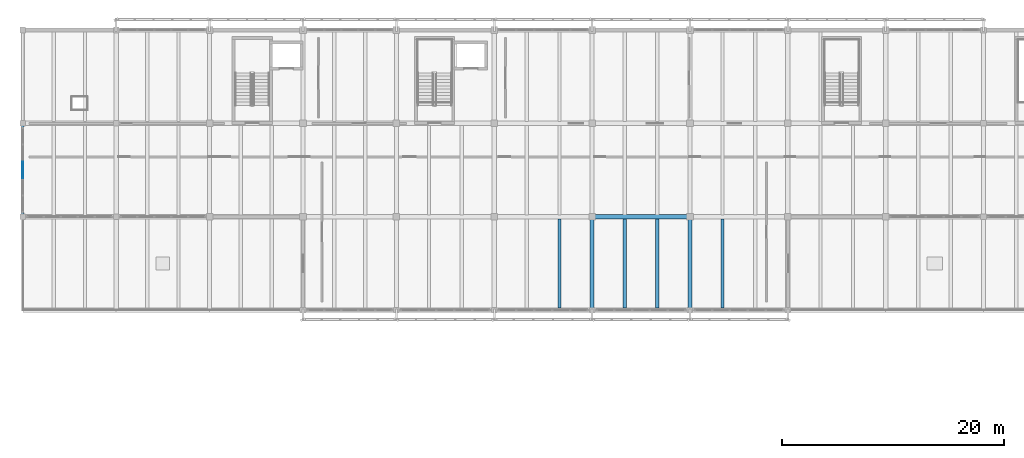
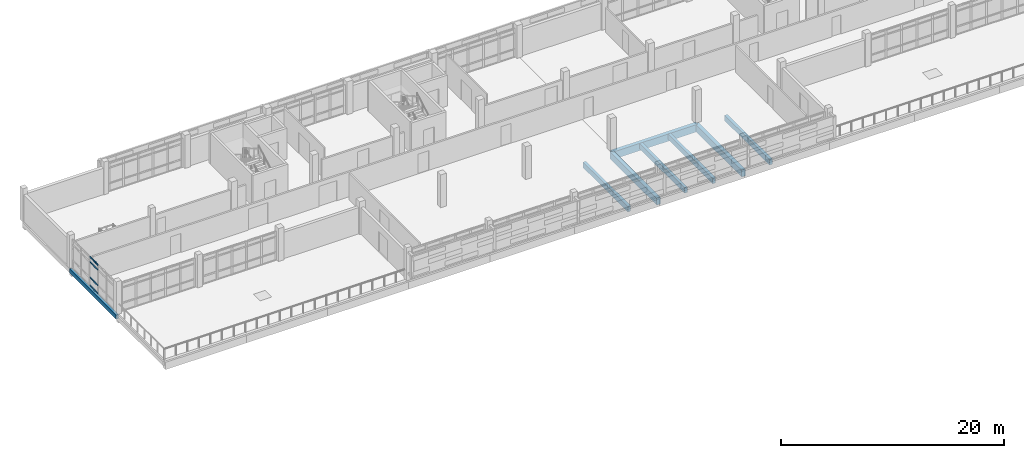
# One storey, part 16 of 50: 8 beams, 4 members, 1 element without a shape of its own.
"""IFC4 building model written with IfcOpenShell, lengths in metres."""

from ifc_helpers import new_model, si_unit, direction, frame, origin, origin_2d, place, context, subcontext, project, spatial, rectangle, extrude, material, material_profile, profile_set, type_object, element, aggregate, save


model = new_model("IFC4")

# Units and contexts
model_context = context("Model", 3, precision=1e-05, world=origin(), true_north=direction((0.0, 1.0)))
body_context = subcontext(model_context, "Body", "Model", "MODEL_VIEW")
ifc_project = project(units=[si_unit("LENGTHUNIT", "METRE"), si_unit("AREAUNIT", "SQUARE_METRE"), si_unit("VOLUMEUNIT", "CUBIC_METRE"), si_unit("PLANEANGLEUNIT", "RADIAN"), si_unit("MASSUNIT", "GRAM", prefix="KILO")], contexts=[model_context])

# Site, building, storey
site_placement = place(None, origin())
site = spatial("IfcSite", under=ifc_project, at=site_placement, CompositionType="ELEMENT")
building_placement = place(site_placement, origin())
building = spatial("IfcBuilding", under=site, at=building_placement, Name="Cinderway Yard Community Centre", CompositionType="ELEMENT")
storey_placement = place(building_placement, frame((0.0, 0.0, 12.89990234375)))
storey = spatial("IfcBuildingStorey", under=building, at=storey_placement, Name="L03", CompositionType="ELEMENT", Elevation=12.89990234375)

# Curtain wall, members
ifc_material_1 = material(Name="Aluminium 6063-T6", Category="aluminium")
curtain_wall_type = type_object("IfcCurtainWallType", Name="ENV-CW-TYPE-32", PredefinedType="USERDEFINED", material=ifc_material_1)
curtain_wall_placement = place(storey_placement, origin())
curtain_wall = element("IfcCurtainWall", 1, at=curtain_wall_placement, inside=storey, type_object=curtain_wall_type, Name="V4 West End Curtain Wall ENV-CW-L03-ST-0174", ObjectType="GLAZED CURTAIN WALL", PredefinedType="USERDEFINED")
ifc_material_profile_1 = material_profile(ifc_material_1, rectangle(XDim=0.06005859375, YDim=0.1201171875, at=origin_2d()), Name="Aluminium 6063-T6")
ifc_profile_set_1 = profile_set([ifc_material_profile_1], Name="Aluminium 6063-T6")
member_type = type_object("IfcMemberType", Name="ENV-CW-TRAN-110", PredefinedType="USERDEFINED", material=ifc_profile_set_1)
member_1_placement = place(storey_placement, frame((41.60009765625, 101.865966796875, 0.030029296875), z_axis=(0.0, 1.0, 0.0), x_axis=(-1.0, 0.0, 0.0)))
member_1 = element("IfcMember", 2, at=member_1_placement, type_object=member_type, Name="CW-32 transom 3.1", ObjectType="TRANSOM", PredefinedType="USERDEFINED", context=body_context, shape_type="SweptSolid", body=[
    extrude(rectangle(XDim=0.06005859375, YDim=0.1201171875, at=origin_2d()), origin(), (0.0, 0.0, 1.0), 1.468017578125),
])
member_2_placement = place(storey_placement, frame((41.60009765625, 101.865966796875, 0.900146484375), z_axis=(0.0, 1.0, 0.0), x_axis=(-1.0, 0.0, 0.0)))
member_2 = element("IfcMember", 3, at=member_2_placement, type_object=member_type, Name="CW-32 transom 3.2", ObjectType="TRANSOM", PredefinedType="USERDEFINED", context=body_context, shape_type="SweptSolid", body=[
    extrude(rectangle(XDim=0.06005859375, YDim=0.1201171875, at=origin_2d()), origin(), (0.0, 0.0, 1.0), 1.468017578125),
])
member_3_placement = place(storey_placement, frame((41.60009765625, 101.865966796875, 2.60009765625), z_axis=(0.0, 1.0, 0.0), x_axis=(-1.0, 0.0, 0.0)))
member_3 = element("IfcMember", 4, at=member_3_placement, type_object=member_type, Name="CW-32 transom 3.3", ObjectType="TRANSOM", PredefinedType="USERDEFINED", context=body_context, shape_type="SweptSolid", body=[
    extrude(rectangle(XDim=0.06005859375, YDim=0.1201171875, at=origin_2d()), origin(), (0.0, 0.0, 1.0), 1.468017578125),
])
member_4_placement = place(storey_placement, frame((41.60009765625, 101.865966796875, 3.1201171875), z_axis=(0.0, 1.0, 0.0), x_axis=(-1.0, 0.0, 0.0)))
member_4 = element("IfcMember", 5, at=member_4_placement, type_object=member_type, Name="CW-32 transom 3.4", ObjectType="TRANSOM", PredefinedType="USERDEFINED", context=body_context, shape_type="SweptSolid", body=[
    extrude(rectangle(XDim=0.06005859375, YDim=0.1201171875, at=origin_2d()), origin(), (0.0, 0.0, 1.0), 1.468017578125),
])
aggregate(curtain_wall, [member_1, member_2, member_3, member_4])

# Beams
ifc_material_2 = material(Name="Concrete C40/50", Category="concrete")
ifc_material_profile_2 = material_profile(ifc_material_2, rectangle(XDim=0.25, YDim=0.449951171875, at=origin_2d()), Name="Concrete C40/50")
ifc_profile_set_2 = profile_set([ifc_material_profile_2], Name="Concrete C40/50")
beam_type_1 = type_object("IfcBeamType", Name="STR-BM-RC250X450", PredefinedType="SPANDREL", material=ifc_profile_set_2)
beam_1_placement = place(storey_placement, frame((41.60009765625, 98.39990234375, -0.46484375), z_axis=(0.0, 1.0, 0.0), x_axis=(-1.0, 0.0, 0.0)))
element("IfcBeam", 6, at=beam_1_placement, inside=storey, type_object=beam_type_1, Name="Transverse girder STR-BM-L03-SP02-0715", PredefinedType="SPANDREL", context=body_context, shape_type="SweptSolid", body=[
    extrude(rectangle(XDim=0.25, YDim=0.449951171875, at=origin_2d()), origin(), (0.0, 0.0, 1.0), 8.400146484375),
])
ifc_material_3 = material(Name="Concrete C35/45", Category="concrete")
ifc_material_profile_3 = material_profile(ifc_material_3, rectangle(XDim=0.300048828125, YDim=0.60009765625, at=origin_2d()), Name="Concrete C35/45")
ifc_profile_set_3 = profile_set([ifc_material_profile_3], Name="Concrete C35/45")
beam_type_2 = type_object("IfcBeamType", Name="STR-BM-RC300X600", PredefinedType="JOIST", material=ifc_profile_set_3)
for number, where, z_axis, x_axis, name in (
    (7, (89.866943359375, 90.181884765625, -0.539794921875), (0.0, 1.0, 0.0), (-1.0, 0.0, 0.0), "Secondary joist STR-BM-L03-BJ02-0777"),
    (8, (95.73291015625, 90.181884765625, -0.539794921875), (0.0, 1.0, 0.0), (-1.0, 0.0, 0.0), "Secondary joist STR-BM-L03-BJ02-0782"),
    (9, (98.6669921875, 90.181884765625, -0.539794921875), (0.0, 1.0, 0.0), (-1.0, 0.0, 0.0), "Secondary joist STR-BM-L03-BJ02-0783"),
    (10, (104.532958984375, 90.181884765625, -0.539794921875), (0.0, 1.0, 0.0), (-1.0, 0.0, 0.0), "Secondary joist STR-BM-L03-BJ02-0788"),
):
    element("IfcBeam", number, at=place(storey_placement, frame(where, z_axis=z_axis, x_axis=x_axis)), inside=storey, type_object=beam_type_2, Name=name, PredefinedType="JOIST", context=body_context, shape_type="SweptSolid", body=[
        extrude(rectangle(XDim=0.300048828125, YDim=0.60009765625, at=origin_2d()), origin(), (0.0, 0.0, 1.0), 8.0361328125),
    ])
ifc_material_profile_4 = material_profile(ifc_material_3, rectangle(XDim=0.3798828125, YDim=0.75, at=origin_2d()), Name="Concrete C35/45")
ifc_profile_set_4 = profile_set([ifc_material_profile_4], Name="Concrete C35/45")
beam_type_3 = type_object("IfcBeamType", Name="STR-BM-RC380X750", PredefinedType="BEAM", material=ifc_profile_set_4)
for number, where, z_axis, x_axis, name in (
    (11, (92.800048828125, 90.0, -0.614990234375), (0.0, 1.0, 0.0), (-1.0, 0.0, 0.0), "Transverse girder STR-BM-L03-BG06-0732"),
    (12, (101.60009765625, 90.0, -0.614990234375), (0.0, 1.0, 0.0), (-1.0, 0.0, 0.0), "Transverse girder STR-BM-L03-BG06-0735"),
):
    element("IfcBeam", number, at=place(storey_placement, frame(where, z_axis=z_axis, x_axis=x_axis)), inside=storey, type_object=beam_type_3, Name=name, PredefinedType="BEAM", context=body_context, shape_type="SweptSolid", body=[
        extrude(rectangle(XDim=0.3798828125, YDim=0.75, at=origin_2d()), origin(), (0.0, 0.0, 1.0), 8.39990234375),
    ])
ifc_material_profile_5 = material_profile(ifc_material_2, rectangle(XDim=0.39990234375, YDim=0.800048828125, at=origin_2d()), Name="Concrete C40/50")
ifc_profile_set_5 = profile_set([ifc_material_profile_5], Name="Concrete C40/50")
beam_type_4 = type_object("IfcBeamType", Name="STR-BM-RC400X800", PredefinedType="BEAM", material=ifc_profile_set_5)
beam_2_placement = place(storey_placement, frame((92.800048828125, 98.39990234375, -0.639892578125), z_axis=(1.0, 0.0, 0.0), x_axis=(0.0, 1.0, 0.0)))
element("IfcBeam", 13, at=beam_2_placement, inside=storey, type_object=beam_type_4, Name="Primary girder STR-BM-L03-BG05-0687", PredefinedType="BEAM", context=body_context, shape_type="SweptSolid", body=[
    extrude(rectangle(XDim=0.39990234375, YDim=0.800048828125, at=origin_2d()), origin(), (0.0, 0.0, 1.0), 8.800048828125),
])

save(model, "model.ifc")
